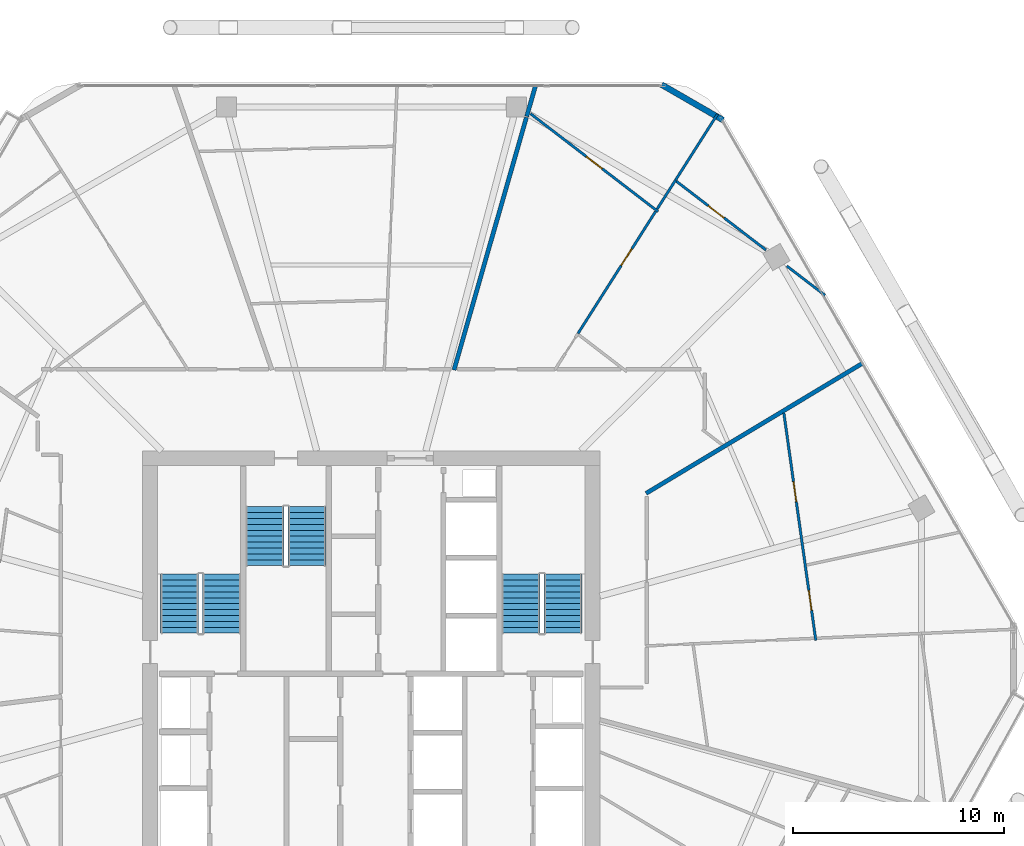
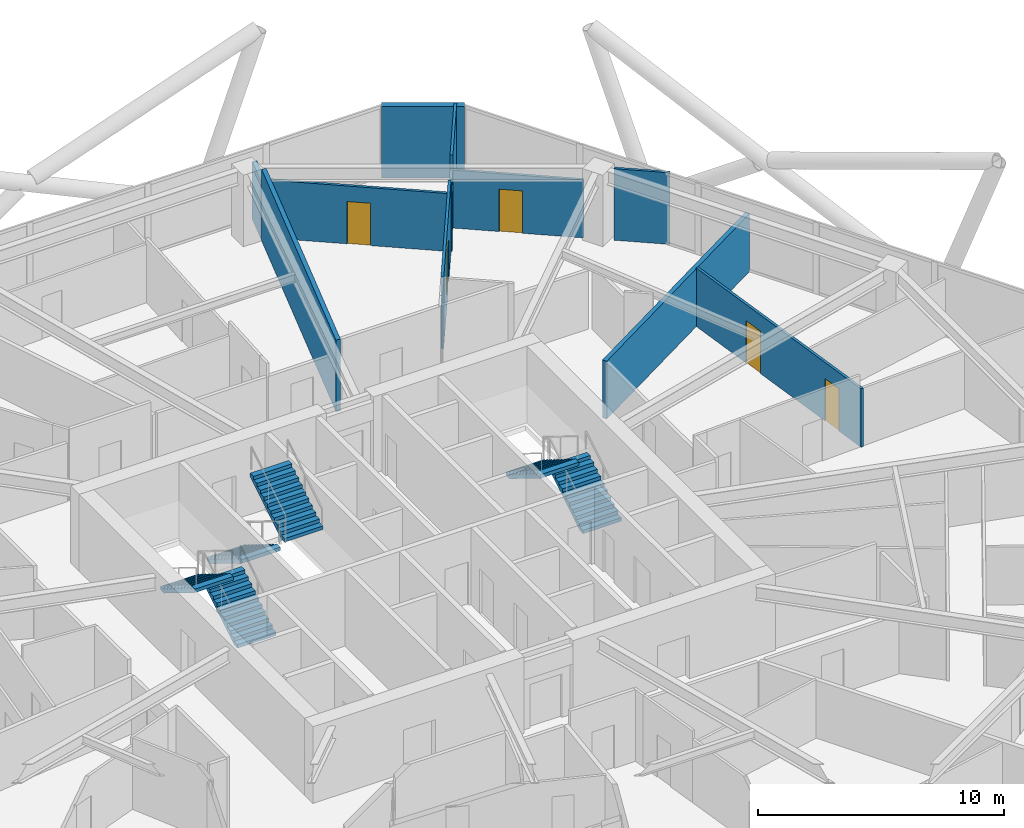
# One storey, part 25 of 28: 11 walls, 6 stair flights, 5 doors, 5 openings, 3 elements without a shape of their own.
"""IFC4 building model written with IfcOpenShell, lengths in metres."""

from ifc_helpers import new_model, si_unit, direction, frame, frame_2d, origin, place, context, subcontext, project, spatial, polyline, rectangle, outline, extrude, material, layer, layer_set, type_object, element, fill, aggregate, save


model = new_model("IFC4")

# Units and contexts
model_context = context("Model", 3, precision=1e-05, world=origin(), true_north=direction((0.0, 1.0)))
body_context = subcontext(model_context, "Body", "Model", "MODEL_VIEW")
ifc_project = project(units=[si_unit("LENGTHUNIT", "METRE"), si_unit("AREAUNIT", "SQUARE_METRE"), si_unit("VOLUMEUNIT", "CUBIC_METRE"), si_unit("PLANEANGLEUNIT", "RADIAN"), si_unit("MASSUNIT", "GRAM", prefix="KILO")], contexts=[model_context])

# Site, building, storey
site_placement = place(None, origin())
site = spatial("IfcSite", under=ifc_project, at=site_placement, CompositionType="ELEMENT")
building_placement = place(site_placement, origin())
building = spatial("IfcBuilding", under=site, at=building_placement, Name="Zuhravey Tower", CompositionType="ELEMENT")
storey_placement = place(building_placement, frame((0.0, 0.0, 199.800048828125)))
storey = spatial("IfcBuildingStorey", under=building, at=storey_placement, Name="L50", CompositionType="ELEMENT", Elevation=199.800048828125)

# Walls
ifc_material_1 = material(Name="Precast concrete C40/50", Category="concrete")
ifc_layer_1 = layer(ifc_material_1, 0.280029296875)
ifc_layer_set_1 = layer_set([ifc_layer_1], Name="Precast concrete C40/50")
wall_type_1 = type_object("IfcWallType", Name="Crown Architectural Wall 280", PredefinedType="SOLIDWALL", material=ifc_layer_set_1)
wall_1_placement = place(storey_placement, frame((49.77880859375, 59.230712890625, 0.0), z_axis=(0.0, 0.0, 1.0), x_axis=(0.866020068361, -0.500009241111, 0.0)))
element("IfcWall", 1, at=wall_1_placement, inside=storey, type_object=wall_type_1, Name="L50 Rounded Corner Closure Wall EW28-10", PredefinedType="SOLIDWALL", context=body_context, shape_type="SweptSolid", body=[
    extrude(rectangle(XDim=3.365234375, YDim=0.280029296875, at=frame_2d((1.6826171875, 0.0))), origin(), (0.0, 0.0, 1.0), 3.550048828125),
])
ifc_material_2 = material(Name="Gypsum double-stud party assembly")
ifc_layer_2 = layer(ifc_material_2, 0.199951171875)
ifc_layer_set_2 = layer_set([ifc_layer_2], Name="Gypsum double-stud party assembly")
wall_type_2 = type_object("IfcWallType", Name="Inter-Tenancy Party Wall 200", PredefinedType="PARTITIONING", material=ifc_layer_set_2)
wall_2_placement = place(storey_placement, frame((49.0400390625, 39.835205078125, 0.0), z_axis=(0.0, 0.0, 1.0), x_axis=(0.857165332012, 0.515041351346, 0.0)))
element("IfcWall", 2, at=wall_2_placement, inside=storey, type_object=wall_type_2, Name="L50 IW20 Partition 065", PredefinedType="PARTITIONING", context=body_context, shape_type="SweptSolid", body=[
    extrude(rectangle(XDim=11.974365234375, YDim=0.199951171875, at=frame_2d((5.9873046875, 0.0))), origin(), (0.0, 0.0, 1.0), 2.869873046875),
])
wall_3_placement = place(storey_placement, frame((39.925537109375, 45.68994140625, 0.0), z_axis=(0.0, 0.0, 1.0), x_axis=(0.275636294404, 0.961262000293, 0.0)))
element("IfcWall", 3, at=wall_3_placement, inside=storey, type_object=wall_type_2, Name="L50 IW20 Partition 071", PredefinedType="PARTITIONING", context=body_context, shape_type="SweptSolid", body=[
    extrude(rectangle(XDim=12.47119140625, YDim=0.199951171875, at=frame_2d((6.235595703125, 0.0))), origin(), (0.0, 0.0, 1.0), 3.550048828125),
])
wall_4_placement = place(storey_placement, frame((43.376953125, 57.726806640625, 0.0), z_axis=(0.0, 0.0, 1.0), x_axis=(0.275721302425, 0.961237620669, 0.0)))
element("IfcWall", 4, at=wall_4_placement, inside=storey, type_object=wall_type_2, Name="L50 IW20 Partition 072", PredefinedType="PARTITIONING", context=body_context, shape_type="SweptSolid", body=[
    extrude(rectangle(XDim=1.51513671875, YDim=0.199951171875, at=frame_2d((0.757568359375, 0.0))), origin(), (0.0, 0.0, 1.0), 2.869873046875),
])

# Wall, opening, door
ifc_material_3 = material(Name="Gypsum metal-stud partition")
ifc_layer_3 = layer(ifc_material_3, 0.1201171875)
ifc_layer_set_3 = layer_set([ifc_layer_3], Name="Gypsum metal-stud partition")
wall_type_3 = type_object("IfcWallType", Name="Unit Internal Partition 120", PredefinedType="PARTITIONING", material=ifc_layer_set_3)
wall_5_placement = place(storey_placement, frame((49.608642578125, 53.207763671875, 0.0), z_axis=(0.0, 0.0, 1.0), x_axis=(-0.793348849006, 0.608767282121, 0.0)))
wall_5 = element("IfcWall", 5, at=wall_5_placement, inside=storey, type_object=wall_type_3, Name="L50 IW12 Partition 019", PredefinedType="PARTITIONING", context=body_context, shape_type="SweptSolid", body=[
    extrude(rectangle(XDim=7.6318359375, YDim=0.1201171875, at=frame_2d((3.81591796875, 0.0))), origin(), (0.0, 0.0, 1.0), 2.869873046875),
])
opening_1_placement = place(wall_5_placement, frame((3.3408203125, 0.0, 0.0)))
opening_1 = element("IfcOpeningElement", 6, at=opening_1_placement, cuts=wall_5, Name="Opening IND1", PredefinedType="OPENING", context=body_context, shape_type="SweptSolid", body=[
    extrude(rectangle(XDim=0.949951171875, YDim=2.10009765625, at=frame_2d((0.47509765625, 1.050048828125))), frame((0.0, 0.072021484375, 0.0), z_axis=(0.0, -1.0, 0.0), x_axis=(1.0, 0.0, 0.0)), (0.0, 0.0, 1.0), 0.14404296875),
])
ifc_material_4 = material(Name="Painted engineered timber leaf", Category="wood")
door_type = type_object("IfcDoorType", Name="Internal Room & Bedroom Door 950x2100", OperationType="NOTDEFINED", PredefinedType="DOOR", material=ifc_material_4)
door_1_placement = place(opening_1_placement, frame((0.949951171875, 0.0, 0.0), z_axis=(0.0, 0.0, 1.0), x_axis=(-1.0, 0.0, 0.0)))
door_1 = element("IfcDoor", 7, at=door_1_placement, inside=storey, type_object=door_type, Name="Apartment L50-01 Family Study Door", OperationType="SINGLE_SWING_RIGHT", OverallHeight=2.10009765625, OverallWidth=0.949951171875, PredefinedType="DOOR", context=body_context, shape_type="SweptSolid", body=[
    extrude(rectangle(XDim=0.949951171875, YDim=2.10009765625, at=frame_2d((0.47509765625, 1.050048828125))), frame((0.0, 0.02490234375, 0.0), z_axis=(0.0, -1.0, 0.0), x_axis=(1.0, 0.0, 0.0)), (0.0, 0.0, 1.0), 0.050048828125),
])
fill(opening_1, door_1)

wall_6_placement = place(storey_placement, frame((45.808349609375, 47.419921875, 0.0), z_axis=(0.0, 0.0, 1.0), x_axis=(0.536718974009, 0.843761069817, 0.0)))
wall_6 = element("IfcWall", 8, at=wall_6_placement, inside=storey, type_object=wall_type_3, Name="L50 IW12 Partition 021", PredefinedType="PARTITIONING", context=body_context, shape_type="SweptSolid", body=[
    extrude(rectangle(XDim=6.863525390625, YDim=0.1201171875, at=frame_2d((3.431640625, 0.0))), origin(), (0.0, 0.0, 1.0), 3.550048828125),
])
opening_2_placement = place(wall_6_placement, frame((3.816650390625, 0.0, 0.0)))
opening_2 = element("IfcOpeningElement", 9, at=opening_2_placement, cuts=wall_6, Name="Opening IND1", PredefinedType="OPENING", context=body_context, shape_type="SweptSolid", body=[
    extrude(rectangle(XDim=0.949951171875, YDim=2.10009765625, at=frame_2d((0.47509765625, 1.050048828125))), frame((0.0, 0.072021484375, 0.0), z_axis=(0.0, -1.0, 0.0), x_axis=(1.0, 0.0, 0.0)), (0.0, 0.0, 1.0), 0.14404296875),
])
door_2_placement = place(opening_2_placement, frame((0.949951171875, 0.0, 0.0), z_axis=(0.0, 0.0, 1.0), x_axis=(-1.0, 0.0, 0.0)))
door_2 = element("IfcDoor", 10, at=door_2_placement, inside=storey, type_object=door_type, Name="Apartment L50-01 Home Office Door", OperationType="SINGLE_SWING_RIGHT", OverallHeight=2.10009765625, OverallWidth=0.949951171875, PredefinedType="DOOR", context=body_context, shape_type="SweptSolid", body=[
    extrude(rectangle(XDim=0.949951171875, YDim=2.10009765625, at=frame_2d((0.47509765625, 1.050048828125))), frame((0.0, 0.02490234375, 0.0), z_axis=(0.0, -1.0, 0.0), x_axis=(1.0, 0.0, 0.0)), (0.0, 0.0, 1.0), 0.050048828125),
])
fill(opening_2, door_2)

# Wall
wall_7_placement = place(storey_placement, frame((49.565673828125, 53.326416015625, 0.0), z_axis=(0.0, 0.0, 1.0), x_axis=(0.53659490955, 0.843839974785, 0.0)))
element("IfcWall", 11, at=wall_7_placement, inside=storey, type_object=wall_type_3, Name="L50 IW12 Partition 022", PredefinedType="PARTITIONING", context=body_context, shape_type="SweptSolid", body=[
    extrude(rectangle(XDim=1.6328125, YDim=0.1201171875, at=frame_2d((0.81640625, 0.0))), origin(), (0.0, 0.0, 1.0), 2.869873046875),
])

# Wall, opening, door
wall_8_placement = place(storey_placement, frame((54.73046875, 51.38232421875, 0.0), z_axis=(0.0, 0.0, 1.0), x_axis=(-0.793330324721, 0.60879142231, 0.0)))
wall_8 = element("IfcWall", 12, at=wall_8_placement, inside=storey, type_object=wall_type_3, Name="L50 IW12 Partition 023", PredefinedType="PARTITIONING", context=body_context, shape_type="SweptSolid", body=[
    extrude(rectangle(XDim=5.35400390625, YDim=0.1201171875, at=frame_2d((2.677001953125, 0.0))), origin(), (0.0, 0.0, 1.0), 2.869873046875),
])
opening_3_placement = place(wall_8_placement, frame((2.50634765625, 0.0, 0.0)))
opening_3 = element("IfcOpeningElement", 13, at=opening_3_placement, cuts=wall_8, Name="Opening IND1", PredefinedType="OPENING", context=body_context, shape_type="SweptSolid", body=[
    extrude(rectangle(XDim=0.949951171875, YDim=2.10009765625, at=frame_2d((0.47509765625, 1.050048828125))), frame((0.0, 0.072021484375, 0.0), z_axis=(0.0, -1.0, 0.0), x_axis=(1.0, 0.0, 0.0)), (0.0, 0.0, 1.0), 0.14404296875),
])
door_3_placement = place(opening_3_placement, frame((0.949951171875, 0.0, 0.0), z_axis=(0.0, 0.0, 1.0), x_axis=(-1.0, 0.0, 0.0)))
door_3 = element("IfcDoor", 14, at=door_3_placement, inside=storey, type_object=door_type, Name="Apartment L50-01 Bedroom 1 Door", OperationType="SINGLE_SWING_LEFT", OverallHeight=2.10009765625, OverallWidth=0.949951171875, PredefinedType="DOOR", context=body_context, shape_type="SweptSolid", body=[
    extrude(rectangle(XDim=0.949951171875, YDim=2.10009765625, at=frame_2d((0.47509765625, 1.050048828125))), frame((0.0, 0.02490234375, 0.0), z_axis=(0.0, -1.0, 0.0), x_axis=(1.0, 0.0, 0.0)), (0.0, 0.0, 1.0), 0.050048828125),
])
fill(opening_3, door_3)

# Wall, openings, doors
wall_9_placement = place(storey_placement, frame((57.095458984375, 32.85791015625, 0.0), z_axis=(0.0, 0.0, 1.0), x_axis=(-0.13917519047, 0.990267775078, 0.0)))
wall_9 = element("IfcWall", 15, at=wall_9_placement, inside=storey, type_object=wall_type_3, Name="L50 IW12 Partition 051", PredefinedType="PARTITIONING", context=body_context, shape_type="SweptSolid", body=[
    extrude(rectangle(XDim=10.89697265625, YDim=0.1201171875, at=frame_2d((5.448486328125, 0.0))), origin(), (0.0, 0.0, 1.0), 2.89990234375),
])
opening_4_placement = place(wall_9_placement, frame((1.443115234375, 0.0, 0.0)))
opening_4 = element("IfcOpeningElement", 16, at=opening_4_placement, cuts=wall_9, Name="Opening IND1", PredefinedType="OPENING", context=body_context, shape_type="SweptSolid", body=[
    extrude(rectangle(XDim=0.949951171875, YDim=2.10009765625, at=frame_2d((0.47509765625, 1.050048828125))), frame((0.0, 0.072021484375, 0.0), z_axis=(0.0, -1.0, 0.0), x_axis=(1.0, 0.0, 0.0)), (0.0, 0.0, 1.0), 0.14404296875),
])
opening_5_placement = place(wall_9_placement, frame((6.6513671875, 0.0, 0.0)))
opening_5 = element("IfcOpeningElement", 17, at=opening_5_placement, cuts=wall_9, Name="Opening IND1", PredefinedType="OPENING", context=body_context, shape_type="SweptSolid", body=[
    extrude(rectangle(XDim=0.949951171875, YDim=2.10009765625, at=frame_2d((0.47509765625, 1.050048828125))), frame((0.0, 0.072021484375, 0.0), z_axis=(0.0, -1.0, 0.0), x_axis=(1.0, 0.0, 0.0)), (0.0, 0.0, 1.0), 0.14404296875),
])
door_4_placement = place(opening_4_placement, frame((0.949951171875, 0.0, 0.0), z_axis=(0.0, 0.0, 1.0), x_axis=(-1.0, 0.0, 0.0)))
door_4 = element("IfcDoor", 18, at=door_4_placement, inside=storey, type_object=door_type, Name="Apartment L50-09 Family Study Door", OperationType="SINGLE_SWING_RIGHT", OverallHeight=2.10009765625, OverallWidth=0.949951171875, PredefinedType="DOOR", context=body_context, shape_type="SweptSolid", body=[
    extrude(rectangle(XDim=0.949951171875, YDim=2.10009765625, at=frame_2d((0.47509765625, 1.050048828125))), frame((0.0, 0.02490234375, 0.0), z_axis=(0.0, -1.0, 0.0), x_axis=(1.0, 0.0, 0.0)), (0.0, 0.0, 1.0), 0.050048828125),
])
fill(opening_4, door_4)
door_5_placement = place(opening_5_placement, frame((0.949951171875, 0.0, 0.0), z_axis=(0.0, 0.0, 1.0), x_axis=(-1.0, 0.0, 0.0)))
door_5 = element("IfcDoor", 19, at=door_5_placement, inside=storey, type_object=door_type, Name="Apartment L50-09 Dining Room Door", OperationType="SINGLE_SWING_LEFT", OverallHeight=2.10009765625, OverallWidth=0.949951171875, PredefinedType="DOOR", context=body_context, shape_type="SweptSolid", body=[
    extrude(rectangle(XDim=0.949951171875, YDim=2.10009765625, at=frame_2d((0.47509765625, 1.050048828125))), frame((0.0, 0.02490234375, 0.0), z_axis=(0.0, -1.0, 0.0), x_axis=(1.0, 0.0, 0.0)), (0.0, 0.0, 1.0), 0.050048828125),
])
fill(opening_5, door_5)

# Walls
wall_10_placement = place(storey_placement, frame((50.44189453125, 54.704345703125, 0.0), z_axis=(0.0, 0.0, 1.0), x_axis=(0.536696164754, 0.84377557842, 0.0)))
element("IfcWall", 20, at=wall_10_placement, inside=storey, type_object=wall_type_3, Name="L50 IW12 Partition 067", PredefinedType="PARTITIONING", context=body_context, shape_type="SweptSolid", body=[
    extrude(rectangle(XDim=3.7001953125, YDim=0.1201171875, at=frame_2d((1.85009765625, 0.0))), origin(), (0.0, 0.0, 1.0), 3.550048828125),
])
wall_11_placement = place(storey_placement, frame((57.531005859375, 49.2333984375, 0.0), z_axis=(0.0, 0.0, 1.0), x_axis=(-0.793327349117, 0.608795299869, 0.0)))
element("IfcWall", 21, at=wall_11_placement, inside=storey, type_object=wall_type_3, Name="L50 IW12 Partition 070", PredefinedType="PARTITIONING", context=body_context, shape_type="SweptSolid", body=[
    extrude(rectangle(XDim=2.2822265625, YDim=0.1201171875, at=frame_2d((1.14111328125, 0.0))), origin(), (0.0, 0.0, 1.0), 3.550048828125),
])

# Stair, stair flights
ifc_material_5 = material(Name="Concrete C40/50", Category="concrete")
stair_type = type_object("IfcStairType", Name="Housing Storey Stair Assembly 3800", PredefinedType="HALF_TURN_STAIR", material=ifc_material_5)
stair_1_placement = place(storey_placement, origin())
stair_1 = element("IfcStair", 22, at=stair_1_placement, inside=storey, type_object=stair_type, Name="L50 Core Exit Stair ST1", PredefinedType="HALF_TURN_STAIR")
stair_flight_type = type_object("IfcStairFlightType", Name="Housing Storey Stair Flight 3800", PredefinedType="STRAIGHT", material=ifc_material_5)
stair_flight_1_placement = place(storey_placement, frame((28.89990234375, 33.199951171875, 0.0), z_axis=(0.0, 0.0, 1.0), x_axis=(0.0, 1.0, 0.0)))
stair_flight_1 = element("IfcStairFlight", 23, at=stair_flight_1_placement, type_object=stair_flight_type, Name="ST1 flight 1", NumberOfRisers=11, NumberOfTreads=10, PredefinedType="STRAIGHT", RiserHeight=0.172727273, TreadLength=0.28, context=body_context, shape_type="SweptSolid", body=[
    extrude(outline(polyline([(0.0, 0.0), (0.0, 0.172607421875), (0.280029296875, 0.172607421875), (0.280029296875, 0.345458984375), (0.56005859375, 0.345458984375), (0.56005859375, 0.51806640625), (0.840087890625, 0.51806640625), (0.840087890625, 0.69091796875), (1.1201171875, 0.69091796875), (1.1201171875, 0.863525390625), (1.39990234375, 0.863525390625), (1.39990234375, 1.036376953125), (1.679931640625, 1.036376953125), (1.679931640625, 1.208984375), (1.9599609375, 1.208984375), (1.9599609375, 1.3818359375), (2.239990234375, 1.3818359375), (2.239990234375, 1.554443359375), (2.52001953125, 1.554443359375), (2.52001953125, 1.727294921875), (2.800048828125, 1.727294921875), (2.800048828125, 1.89990234375), (2.800048828125, 1.551025390625), (0.285400390625, 0.0), (0.0, 0.0)])), frame((0.0, 0.89990234375, 0.0), z_axis=(0.0, -1.0, 0.0), x_axis=(1.0, 0.0, 0.0)), (0.0, 0.0, 1.0), 1.800048828125),
])
stair_flight_2_placement = place(storey_placement, frame((26.89990234375, 36.0, 1.89990234375), z_axis=(0.0, 0.0, 1.0), x_axis=(0.0, -1.0, 0.0)))
stair_flight_2 = element("IfcStairFlight", 24, at=stair_flight_2_placement, type_object=stair_flight_type, Name="ST1 flight 2", NumberOfRisers=11, NumberOfTreads=10, PredefinedType="STRAIGHT", RiserHeight=0.172727273, TreadLength=0.28, context=body_context, shape_type="SweptSolid", body=[
    extrude(outline(polyline([(0.0, 0.0), (0.0, 0.172607421875), (0.280029296875, 0.172607421875), (0.280029296875, 0.345458984375), (0.56005859375, 0.345458984375), (0.56005859375, 0.51806640625), (0.840087890625, 0.51806640625), (0.840087890625, 0.69091796875), (1.1201171875, 0.69091796875), (1.1201171875, 0.863525390625), (1.39990234375, 0.863525390625), (1.39990234375, 1.036376953125), (1.679931640625, 1.036376953125), (1.679931640625, 1.208984375), (1.9599609375, 1.208984375), (1.9599609375, 1.3818359375), (2.239990234375, 1.3818359375), (2.239990234375, 1.554443359375), (2.52001953125, 1.554443359375), (2.52001953125, 1.727294921875), (2.800048828125, 1.727294921875), (2.800048828125, 1.89990234375), (2.800048828125, 1.551025390625), (0.285400390625, 0.0), (0.0, 0.0)])), frame((0.0, 0.89990234375, 0.0), z_axis=(0.0, -1.0, 0.0), x_axis=(1.0, 0.0, 0.0)), (0.0, 0.0, 1.0), 1.800048828125),
])
aggregate(stair_1, [stair_flight_1, stair_flight_2])

stair_2_placement = place(storey_placement, origin())
stair_2 = element("IfcStair", 25, at=stair_2_placement, inside=storey, type_object=stair_type, Name="L50 Core Exit Stair ST2", PredefinedType="HALF_TURN_STAIR")
stair_flight_3_placement = place(storey_placement, frame((45.10009765625, 33.199951171875, 0.0), z_axis=(0.0, 0.0, 1.0), x_axis=(0.0, 1.0, 0.0)))
stair_flight_3 = element("IfcStairFlight", 26, at=stair_flight_3_placement, type_object=stair_flight_type, Name="ST2 flight 1", NumberOfRisers=11, NumberOfTreads=10, PredefinedType="STRAIGHT", RiserHeight=0.172727273, TreadLength=0.28, context=body_context, shape_type="SweptSolid", body=[
    extrude(outline(polyline([(0.0, 0.0), (0.0, 0.172607421875), (0.280029296875, 0.172607421875), (0.280029296875, 0.345458984375), (0.56005859375, 0.345458984375), (0.56005859375, 0.51806640625), (0.840087890625, 0.51806640625), (0.840087890625, 0.69091796875), (1.1201171875, 0.69091796875), (1.1201171875, 0.863525390625), (1.39990234375, 0.863525390625), (1.39990234375, 1.036376953125), (1.679931640625, 1.036376953125), (1.679931640625, 1.208984375), (1.9599609375, 1.208984375), (1.9599609375, 1.3818359375), (2.239990234375, 1.3818359375), (2.239990234375, 1.554443359375), (2.52001953125, 1.554443359375), (2.52001953125, 1.727294921875), (2.800048828125, 1.727294921875), (2.800048828125, 1.89990234375), (2.800048828125, 1.551025390625), (0.285400390625, 0.0), (0.0, 0.0)])), frame((0.0, 0.89990234375, 0.0), z_axis=(0.0, -1.0, 0.0), x_axis=(1.0, 0.0, 0.0)), (0.0, 0.0, 1.0), 1.800048828125),
])
stair_flight_4_placement = place(storey_placement, frame((43.10009765625, 36.0, 1.89990234375), z_axis=(0.0, 0.0, 1.0), x_axis=(0.0, -1.0, 0.0)))
stair_flight_4 = element("IfcStairFlight", 27, at=stair_flight_4_placement, type_object=stair_flight_type, Name="ST2 flight 2", NumberOfRisers=11, NumberOfTreads=10, PredefinedType="STRAIGHT", RiserHeight=0.172727273, TreadLength=0.28, context=body_context, shape_type="SweptSolid", body=[
    extrude(outline(polyline([(0.0, 0.0), (0.0, 0.172607421875), (0.280029296875, 0.172607421875), (0.280029296875, 0.345458984375), (0.56005859375, 0.345458984375), (0.56005859375, 0.51806640625), (0.840087890625, 0.51806640625), (0.840087890625, 0.69091796875), (1.1201171875, 0.69091796875), (1.1201171875, 0.863525390625), (1.39990234375, 0.863525390625), (1.39990234375, 1.036376953125), (1.679931640625, 1.036376953125), (1.679931640625, 1.208984375), (1.9599609375, 1.208984375), (1.9599609375, 1.3818359375), (2.239990234375, 1.3818359375), (2.239990234375, 1.554443359375), (2.52001953125, 1.554443359375), (2.52001953125, 1.727294921875), (2.800048828125, 1.727294921875), (2.800048828125, 1.89990234375), (2.800048828125, 1.551025390625), (0.285400390625, 0.0), (0.0, 0.0)])), frame((0.0, 0.89990234375, 0.0), z_axis=(0.0, -1.0, 0.0), x_axis=(1.0, 0.0, 0.0)), (0.0, 0.0, 1.0), 1.800048828125),
])
aggregate(stair_2, [stair_flight_3, stair_flight_4])

stair_3_placement = place(storey_placement, origin())
stair_3 = element("IfcStair", 28, at=stair_3_placement, inside=storey, type_object=stair_type, Name="L50 Core Exit Stair ST3", PredefinedType="HALF_TURN_STAIR")
stair_flight_5_placement = place(storey_placement, frame((30.949951171875, 39.199951171875, 0.0), z_axis=(0.0, 0.0, 1.0), x_axis=(0.0, -1.0, 0.0)))
stair_flight_5 = element("IfcStairFlight", 29, at=stair_flight_5_placement, type_object=stair_flight_type, Name="ST3 flight 1", NumberOfRisers=11, NumberOfTreads=10, PredefinedType="STRAIGHT", RiserHeight=0.172727273, TreadLength=0.28, context=body_context, shape_type="SweptSolid", body=[
    extrude(outline(polyline([(0.0, 0.0), (0.0, 0.172607421875), (0.280029296875, 0.172607421875), (0.280029296875, 0.345458984375), (0.56005859375, 0.345458984375), (0.56005859375, 0.51806640625), (0.840087890625, 0.51806640625), (0.840087890625, 0.69091796875), (1.1201171875, 0.69091796875), (1.1201171875, 0.863525390625), (1.39990234375, 0.863525390625), (1.39990234375, 1.036376953125), (1.679931640625, 1.036376953125), (1.679931640625, 1.208984375), (1.9599609375, 1.208984375), (1.9599609375, 1.3818359375), (2.239990234375, 1.3818359375), (2.239990234375, 1.554443359375), (2.52001953125, 1.554443359375), (2.52001953125, 1.727294921875), (2.800048828125, 1.727294921875), (2.800048828125, 1.89990234375), (2.800048828125, 1.551025390625), (0.285400390625, 0.0), (0.0, 0.0)])), frame((0.0, 0.89990234375, 0.0), z_axis=(0.0, -1.0, 0.0), x_axis=(1.0, 0.0, 0.0)), (0.0, 0.0, 1.0), 1.800048828125),
])
stair_flight_6_placement = place(storey_placement, frame((32.949951171875, 36.39990234375, 1.89990234375), z_axis=(0.0, 0.0, 1.0), x_axis=(0.0, 1.0, 0.0)))
stair_flight_6 = element("IfcStairFlight", 30, at=stair_flight_6_placement, type_object=stair_flight_type, Name="ST3 flight 2", NumberOfRisers=11, NumberOfTreads=10, PredefinedType="STRAIGHT", RiserHeight=0.172727273, TreadLength=0.28, context=body_context, shape_type="SweptSolid", body=[
    extrude(outline(polyline([(0.0, 0.0), (0.0, 0.172607421875), (0.280029296875, 0.172607421875), (0.280029296875, 0.345458984375), (0.56005859375, 0.345458984375), (0.56005859375, 0.51806640625), (0.840087890625, 0.51806640625), (0.840087890625, 0.69091796875), (1.1201171875, 0.69091796875), (1.1201171875, 0.863525390625), (1.39990234375, 0.863525390625), (1.39990234375, 1.036376953125), (1.679931640625, 1.036376953125), (1.679931640625, 1.208984375), (1.9599609375, 1.208984375), (1.9599609375, 1.3818359375), (2.239990234375, 1.3818359375), (2.239990234375, 1.554443359375), (2.52001953125, 1.554443359375), (2.52001953125, 1.727294921875), (2.800048828125, 1.727294921875), (2.800048828125, 1.89990234375), (2.800048828125, 1.551025390625), (0.285400390625, 0.0), (0.0, 0.0)])), frame((0.0, 0.89990234375, 0.0), z_axis=(0.0, -1.0, 0.0), x_axis=(1.0, 0.0, 0.0)), (0.0, 0.0, 1.0), 1.800048828125),
])
aggregate(stair_3, [stair_flight_5, stair_flight_6])

save(model, "model.ifc")
